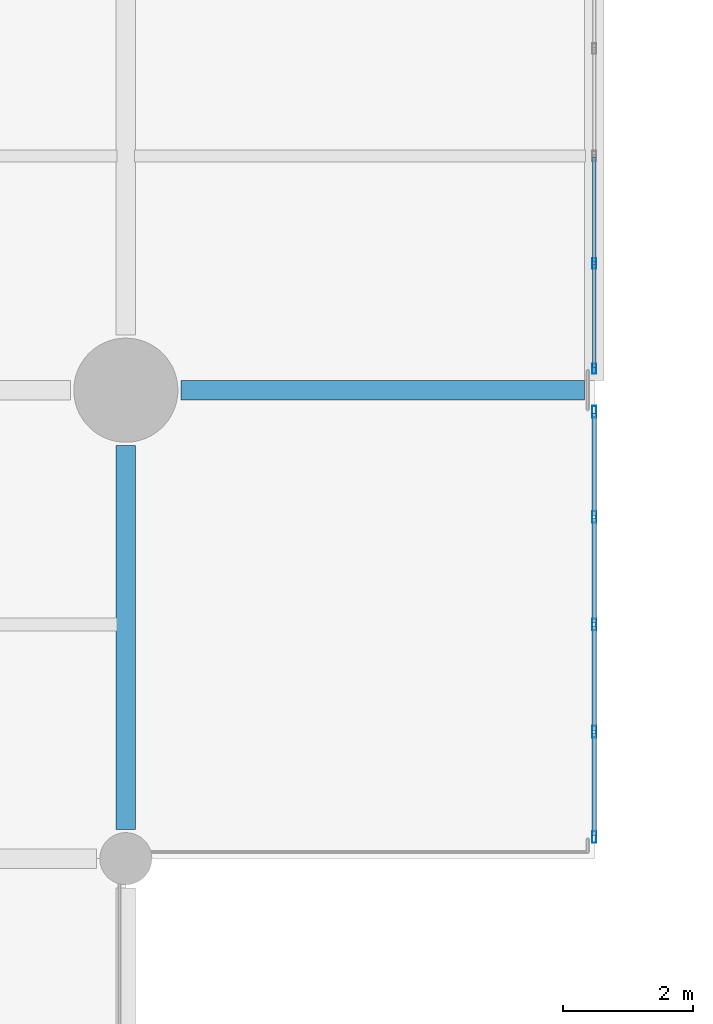
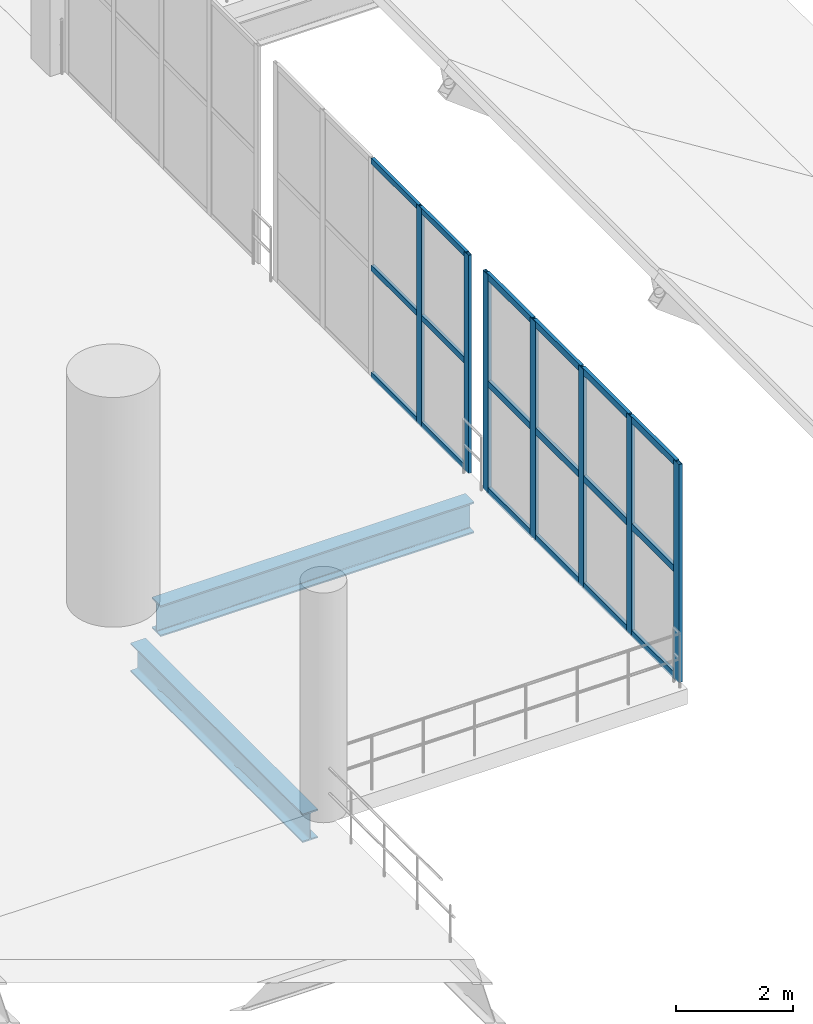
# One storey, part 28 of 105: 25 members, 2 beams, 2 elements without a shape of their own.
"""IFC4 building model written with IfcOpenShell, lengths in metres."""

import ifcopenshell
import ifcopenshell.guid

model = None  # the IFC model being written
_history = None  # IfcOwnerHistory: only IFC2X3 demands one
_inside = {}  # id of a spatial element -> (the spatial element, [elements in it])
_under = {}  # id of a project, library or spatial element -> (it, [spatial elements below it])
_declared = {}  # id of a project -> (the project, [libraries it declares])
_typed = {}  # id of a type object -> (the type object, [elements of that type])
_made_of = {}  # id of a material, layer set ... -> (it, [elements and type objects made of it])


def new_model(schema):
    """Start an empty IFC model of exactly this schema.

    Asked for "IFC4X3", IfcOpenShell would pick the latest addendum, in which some entities
    have other attributes; the version numbers below select the first issue.
    IFC2X3 requires an IfcOwnerHistory on every rooted entity: one is made here for all.
    """
    global model, _history
    if schema == "IFC4X3":
        model = ifcopenshell.file(schema_version=(4, 3, 0, 0))
    else:
        model = ifcopenshell.file(schema=schema)
    _inside.clear()
    _under.clear()
    _declared.clear()
    _typed.clear()
    _made_of.clear()
    _history = None
    if model.schema == "IFC2X3":
        org = make("IfcOrganization", Name="unknown")
        user = make(
            "IfcPersonAndOrganization",
            ThePerson=make("IfcPerson", FamilyName="unknown"),
            TheOrganization=org,
        )
        app = make(
            "IfcApplication",
            ApplicationDeveloper=org,
            Version="unknown",
            ApplicationFullName="unknown",
            ApplicationIdentifier="unknown",
        )
        _history = make(
            "IfcOwnerHistory",
            OwningUser=user,
            OwningApplication=app,
            ChangeAction="ADDED",
            CreationDate=0,
        )
    return model


def make(cls, **values):
    """One entity of the class cls with the attributes given. An attribute that is None is left unset."""
    return model.create_entity(
        cls, **{name: value for name, value in values.items() if value is not None}
    )


def rooted(cls, **values):
    """An entity with a GlobalId (a new one), such as an element, a storey or a relation."""
    return make(cls, GlobalId=ifcopenshell.guid.new(), OwnerHistory=_history, **values)


def si_unit(unit_type, name, prefix=None):
    """IfcSIUnit, for example si_unit("LENGTHUNIT", "METRE", prefix="MILLI")."""
    return make("IfcSIUnit", UnitType=unit_type, Prefix=prefix, Name=name)


def assignment(units):
    """IfcUnitAssignment: the units of a project."""
    return None if units is None else make("IfcUnitAssignment", Units=units)


def point(xyz):
    """IfcCartesianPoint."""
    return None if xyz is None else make("IfcCartesianPoint", Coordinates=xyz)


def direction(xyz):
    """IfcDirection."""
    return None if xyz is None else make("IfcDirection", DirectionRatios=xyz)


def frame(location, z_axis=None, x_axis=None):
    """IfcAxis2Placement3D, a coordinate frame: its origin and axes. An axis left out is left unset."""
    return make(
        "IfcAxis2Placement3D",
        Location=point(location),
        Axis=direction(z_axis),
        RefDirection=direction(x_axis),
    )


def frame_2d(location, x_axis=None):
    """IfcAxis2Placement2D, a coordinate frame in the plane: its origin and x axis."""
    return make(
        "IfcAxis2Placement2D", Location=point(location), RefDirection=direction(x_axis)
    )


def origin():
    """The frame at (0, 0, 0) with its axes left unset."""
    return frame((0.0, 0.0, 0.0))


def origin_2d():
    """The frame at (0, 0) in the plane with its x axis left unset."""
    return frame_2d((0.0, 0.0))


def place(relative_to, where):
    """IfcLocalPlacement: puts the frame where relative to a parent placement (None: the world)."""
    return make(
        "IfcLocalPlacement", PlacementRelTo=relative_to, RelativePlacement=where
    )


def context(
    kind, dimensions, precision=None, world=None, true_north=None, identifier=None
):
    """IfcGeometricRepresentationContext, for example the 3D "Model" context."""
    return make(
        "IfcGeometricRepresentationContext",
        ContextIdentifier=identifier,
        ContextType=kind,
        CoordinateSpaceDimension=dimensions,
        Precision=precision,
        WorldCoordinateSystem=world,
        TrueNorth=true_north,
    )


def subcontext(parent, identifier, kind, view, scale=None):
    """IfcGeometricRepresentationSubContext, for example "Body" below "Model"."""
    return make(
        "IfcGeometricRepresentationSubContext",
        ContextIdentifier=identifier,
        ContextType=kind,
        ParentContext=parent,
        TargetScale=scale,
        TargetView=view,
    )


def project(units=None, contexts=None):
    """IfcProject with its units and contexts."""
    return rooted(
        "IfcProject",
        Name="project",
        RepresentationContexts=contexts,
        UnitsInContext=assignment(units),
    )


def spatial(cls, under=None, at=None, **own):
    """A site, building, storey or space (cls), placed at a placement, below another one or the project."""
    s = rooted(cls, ObjectPlacement=at, **own)
    if under is not None:
        _under.setdefault(under.id(), (under, []))[1].append(s)
    return s


def profile(cls, at=None, kind="AREA", **sizes):
    """A parametric profile (cls). Its sizes go by their IFC names, for example OverallWidth=200.0."""
    return make(cls, ProfileType=kind, Position=at, **sizes)


def hollow_rectangle(**sizes):
    """IfcRectangleHollowProfileDef."""
    return profile("IfcRectangleHollowProfileDef", **sizes)


def i_section(**sizes):
    """IfcIShapeProfileDef."""
    return profile("IfcIShapeProfileDef", **sizes)


def extrude(swept, where, along, depth):
    """IfcExtrudedAreaSolid: the profile swept, set in the frame where, extruded along a direction by depth."""
    return make(
        "IfcExtrudedAreaSolid",
        SweptArea=swept,
        Position=where,
        ExtrudedDirection=direction(along),
        Depth=depth,
    )


def shape(context_of_items, identifier, shape_type, items):
    """IfcShapeRepresentation: the items that make up one representation, for example the "Body"."""
    return make(
        "IfcShapeRepresentation",
        ContextOfItems=context_of_items,
        RepresentationIdentifier=identifier,
        RepresentationType=shape_type,
        Items=items,
    )


def material(Name=None, Category=None):
    """IfcMaterial."""
    return make("IfcMaterial", Name=Name, Category=Category)


def material_profile(
    of_material, cross_section, Name=None, Category=None, Priority=None
):
    """IfcMaterialProfile: a cross section and its material."""
    return make(
        "IfcMaterialProfile",
        Name=Name,
        Material=of_material,
        Profile=cross_section,
        Priority=Priority,
        Category=Category,
    )


def profile_set(profiles, Name=None, composite=None):
    """IfcMaterialProfileSet."""
    return make(
        "IfcMaterialProfileSet",
        Name=Name,
        MaterialProfiles=profiles,
        CompositeProfile=composite,
    )


def made_of(thing, what):
    """Note that an element or type object is made of a material, layer set ...; save() writes the relation."""
    if what is not None:
        _made_of.setdefault(what.id(), (what, []))[1].append(thing)
    return thing


def type_object(cls, material=None, **own):
    """A type object (cls), such as IfcWallType, which elements share."""
    return made_of(rooted(cls, **own), material)


def element(
    cls,
    number,
    at=None,
    inside=None,
    cuts=None,
    type_object=None,
    material=None,
    context=None,
    identifier="Body",
    shape_type=None,
    held_by="IfcProductDefinitionShape",
    body=None,
    shapes=None,
    **own,
):
    """One element of the class cls, such as IfcWall. Its Tag is "e" and its number.

    at: its placement. inside: the storey or other place that contains it. cuts: it is an
    opening in that element (IfcRelVoidsElement). A single representation is given by context,
    identifier, shape_type and body (its items); several are given by shapes. held_by: the class
    of the entity that holds the representations. save() writes the other relations.
    """
    e = rooted(cls, Tag="e%d" % number, ObjectPlacement=at, **own)
    if body is not None:
        shapes = [shape(context, identifier, shape_type, body)]
    if shapes is not None:
        e.Representation = make(held_by, Representations=shapes)
    if inside is not None:
        _inside.setdefault(inside.id(), (inside, []))[1].append(e)
    if cuts is not None:
        rooted(
            "IfcRelVoidsElement", RelatingBuildingElement=cuts, RelatedOpeningElement=e
        )
    if type_object is not None:
        _typed.setdefault(type_object.id(), (type_object, []))[1].append(e)
    return made_of(e, material)


def aggregate(whole, parts):
    """IfcRelAggregates: a whole, such as a stair, and the parts it consists of."""
    return rooted("IfcRelAggregates", RelatingObject=whole, RelatedObjects=parts)


def save(model, path):
    """Write the relations noted so far, then the file.

    IfcRelAggregates (storeys below a building ...), IfcRelContainedInSpatialStructure (elements
    in a storey), IfcRelDefinesByType, IfcRelAssociatesMaterial and IfcRelDeclares: one each for
    every whole, place, type object, material and project.
    """
    for whole, parts in _under.values():
        aggregate(whole, parts)
    for where, things in _inside.values():
        rooted(
            "IfcRelContainedInSpatialStructure",
            RelatedElements=things,
            RelatingStructure=where,
        )
    for kind, things in _typed.values():
        rooted("IfcRelDefinesByType", RelatedObjects=things, RelatingType=kind)
    for what, things in _made_of.values():
        rooted("IfcRelAssociatesMaterial", RelatedObjects=things, RelatingMaterial=what)
    for by, libraries in _declared.values():
        rooted("IfcRelDeclares", RelatingContext=by, RelatedDefinitions=libraries)
    model.write(path)


model = new_model("IFC4")

# Units and contexts
model_context = context("Model", 3, precision=1e-05, world=origin(), true_north=direction((0.0, 1.0)))
body_context = subcontext(model_context, "Body", "Model", "MODEL_VIEW")
ifc_project = project(units=[si_unit("LENGTHUNIT", "METRE"), si_unit("AREAUNIT", "SQUARE_METRE"), si_unit("VOLUMEUNIT", "CUBIC_METRE"), si_unit("PLANEANGLEUNIT", "RADIAN"), si_unit("MASSUNIT", "GRAM", prefix="KILO")], contexts=[model_context])

# Site, building, storey
site_placement = place(None, origin())
site = spatial("IfcSite", under=ifc_project, at=site_placement, CompositionType="ELEMENT")
building_placement = place(site_placement, origin())
building = spatial("IfcBuilding", under=site, at=building_placement, Name="Qandorah Velis Arena", CompositionType="ELEMENT")
storey_placement = place(building_placement, frame((0.0, 0.0, 13.800048828125)))
storey = spatial("IfcBuildingStorey", under=building, at=storey_placement, Name="L03", CompositionType="ELEMENT", Elevation=13.800048828125)

# Curtain wall, members
ifc_material_1 = material(Name="Solar-control low-E double glazing", Category="glass")
curtain_wall_type_1 = type_object("IfcCurtainWallType", Name="ARC-CW-SYS03", PredefinedType="USERDEFINED", material=ifc_material_1)
curtain_wall_1_placement = place(storey_placement, origin())
curtain_wall_1 = element("IfcCurtainWall", 1, at=curtain_wall_1_placement, inside=storey, type_object=curtain_wall_type_1, Name="Unitised curtain wall L03-171", ObjectType="UNITISED CURTAIN WALL", PredefinedType="USERDEFINED")
ifc_material_2 = material(Name="Champagne-bronze anodized aluminium 6063-T6", Category="aluminium")
ifc_material_profile_1 = material_profile(ifc_material_2, hollow_rectangle(XDim=0.06005859375, YDim=0.159912109375, WallThickness=0.00341796875, at=origin_2d()), Name="ALU MULLION 60x160")
ifc_profile_set_1 = profile_set([ifc_material_profile_1], Name="Champagne-bronze anodized aluminium 6063-T6")
member_type_1 = type_object("IfcMemberType", Name="ARC-CWM-160", PredefinedType="MULLION", material=ifc_profile_set_1)
member_1_placement = place(storey_placement, frame((122.39990234375, 29.1298828125, -0.01513671875), z_axis=(0.0, 0.0, 1.0), x_axis=(-1.0, 0.0, 0.0)))
member_1 = element("IfcMember", 2, at=member_1_placement, type_object=member_type_1, Name="CW03 mullion 1", PredefinedType="MULLION", context=body_context, shape_type="SweptSolid", body=[
    extrude(hollow_rectangle(XDim=0.06005859375, YDim=0.159912109375, WallThickness=0.00341796875, at=origin_2d()), origin(), (0.0, 0.0, 1.0), 4.56005859375),
])
member_2_placement = place(storey_placement, frame((122.39990234375, 30.75, -0.01513671875), z_axis=(0.0, 0.0, 1.0), x_axis=(-1.0, 0.0, 0.0)))
member_2 = element("IfcMember", 3, at=member_2_placement, type_object=member_type_1, Name="CW03 mullion 2", PredefinedType="MULLION", context=body_context, shape_type="SweptSolid", body=[
    extrude(hollow_rectangle(XDim=0.06005859375, YDim=0.159912109375, WallThickness=0.00341796875, at=origin_2d()), origin(), (0.0, 0.0, 1.0), 4.56005859375),
])

curtain_wall_type_2 = type_object("IfcCurtainWallType", Name="ARC-CW-SYS02", PredefinedType="USERDEFINED", material=ifc_material_1)
curtain_wall_2_placement = place(storey_placement, origin())
curtain_wall_2 = element("IfcCurtainWall", 4, at=curtain_wall_2_placement, inside=storey, type_object=curtain_wall_type_2, Name="Unitised curtain wall L03-170", ObjectType="UNITISED CURTAIN WALL", PredefinedType="USERDEFINED")
ifc_material_profile_2 = material_profile(ifc_material_2, hollow_rectangle(XDim=0.06494140625, YDim=0.179931640625, WallThickness=0.00341796875, at=origin_2d()), Name="ALU MULLION 65x180")
ifc_profile_set_2 = profile_set([ifc_material_profile_2], Name="Champagne-bronze anodized aluminium 6063-T6")
member_type_2 = type_object("IfcMemberType", Name="ARC-CWM-180", PredefinedType="MULLION", material=ifc_profile_set_2)
member_3_placement = place(storey_placement, frame((122.39990234375, 21.9326171875, -0.01513671875), z_axis=(0.0, 0.0, 1.0), x_axis=(-1.0, 0.0, 0.0)))
member_3 = element("IfcMember", 5, at=member_3_placement, type_object=member_type_2, Name="CW02 mullion 1", PredefinedType="MULLION", context=body_context, shape_type="SweptSolid", body=[
    extrude(hollow_rectangle(XDim=0.06494140625, YDim=0.179931640625, WallThickness=0.00341796875, at=origin_2d()), origin(), (0.0, 0.0, 1.0), 4.56005859375),
])
member_4_placement = place(storey_placement, frame((122.39990234375, 23.550048828125, -0.01513671875), z_axis=(0.0, 0.0, 1.0), x_axis=(-1.0, 0.0, 0.0)))
member_4 = element("IfcMember", 6, at=member_4_placement, type_object=member_type_2, Name="CW02 mullion 2", PredefinedType="MULLION", context=body_context, shape_type="SweptSolid", body=[
    extrude(hollow_rectangle(XDim=0.06494140625, YDim=0.179931640625, WallThickness=0.00341796875, at=origin_2d()), origin(), (0.0, 0.0, 1.0), 4.56005859375),
])
member_5_placement = place(storey_placement, frame((122.39990234375, 25.199951171875, -0.01513671875), z_axis=(0.0, 0.0, 1.0), x_axis=(-1.0, 0.0, 0.0)))
member_5 = element("IfcMember", 7, at=member_5_placement, type_object=member_type_2, Name="CW02 mullion 3", PredefinedType="MULLION", context=body_context, shape_type="SweptSolid", body=[
    extrude(hollow_rectangle(XDim=0.06494140625, YDim=0.179931640625, WallThickness=0.00341796875, at=origin_2d()), origin(), (0.0, 0.0, 1.0), 4.56005859375),
])
member_6_placement = place(storey_placement, frame((122.39990234375, 26.85009765625, -0.01513671875), z_axis=(0.0, 0.0, 1.0), x_axis=(-1.0, 0.0, 0.0)))
member_6 = element("IfcMember", 8, at=member_6_placement, type_object=member_type_2, Name="CW02 mullion 4", PredefinedType="MULLION", context=body_context, shape_type="SweptSolid", body=[
    extrude(hollow_rectangle(XDim=0.06494140625, YDim=0.179931640625, WallThickness=0.00341796875, at=origin_2d()), origin(), (0.0, 0.0, 1.0), 4.56005859375),
])
member_7_placement = place(storey_placement, frame((122.39990234375, 28.467529296875, -0.01513671875), z_axis=(0.0, 0.0, 1.0), x_axis=(-1.0, 0.0, 0.0)))
member_7 = element("IfcMember", 9, at=member_7_placement, type_object=member_type_2, Name="CW02 mullion 5", PredefinedType="MULLION", context=body_context, shape_type="SweptSolid", body=[
    extrude(hollow_rectangle(XDim=0.06494140625, YDim=0.179931640625, WallThickness=0.00341796875, at=origin_2d()), origin(), (0.0, 0.0, 1.0), 4.56005859375),
])

# Member
ifc_material_profile_3 = material_profile(ifc_material_2, hollow_rectangle(XDim=0.06005859375, YDim=0.1201171875, WallThickness=0.0029296875, at=origin_2d()), Name="ALU TRANSOM 60x120")
ifc_profile_set_3 = profile_set([ifc_material_profile_3], Name="Champagne-bronze anodized aluminium 6063-T6")
member_type_3 = type_object("IfcMemberType", Name="ARC-CWT-120", PredefinedType="USERDEFINED", material=ifc_profile_set_3)
member_8_placement = place(storey_placement, frame((122.39990234375, 29.14794921875, 0.030029296875), z_axis=(0.0, 1.0, 0.0), x_axis=(-1.0, 0.0, 0.0)))
member_8 = element("IfcMember", 10, at=member_8_placement, type_object=member_type_3, Name="CW03 transom 1.1", ObjectType="TRANSOM", PredefinedType="USERDEFINED", context=body_context, shape_type="SweptSolid", body=[
    extrude(hollow_rectangle(XDim=0.06005859375, YDim=0.1201171875, WallThickness=0.0029296875, at=origin_2d()), origin(), (0.0, 0.0, 1.0), 1.583984375),
])

member_9_placement = place(storey_placement, frame((122.39990234375, 29.14794921875, 2.264892578125), z_axis=(0.0, 1.0, 0.0), x_axis=(-1.0, 0.0, 0.0)))
member_9 = element("IfcMember", 11, at=member_9_placement, type_object=member_type_3, Name="CW03 transom 1.2", ObjectType="TRANSOM", PredefinedType="USERDEFINED", context=body_context, shape_type="SweptSolid", body=[
    extrude(hollow_rectangle(XDim=0.06005859375, YDim=0.1201171875, WallThickness=0.0029296875, at=origin_2d()), origin(), (0.0, 0.0, 1.0), 1.583984375),
])

member_10_placement = place(storey_placement, frame((122.39990234375, 29.14794921875, 4.5), z_axis=(0.0, 1.0, 0.0), x_axis=(-1.0, 0.0, 0.0)))
member_10 = element("IfcMember", 12, at=member_10_placement, type_object=member_type_3, Name="CW03 transom 1.3", ObjectType="TRANSOM", PredefinedType="USERDEFINED", context=body_context, shape_type="SweptSolid", body=[
    extrude(hollow_rectangle(XDim=0.06005859375, YDim=0.1201171875, WallThickness=0.0029296875, at=origin_2d()), origin(), (0.0, 0.0, 1.0), 1.583984375),
])

member_11_placement = place(storey_placement, frame((122.39990234375, 30.76806640625, 0.030029296875), z_axis=(0.0, 1.0, 0.0), x_axis=(-1.0, 0.0, 0.0)))
member_11 = element("IfcMember", 13, at=member_11_placement, type_object=member_type_3, Name="CW03 transom 2.1", ObjectType="TRANSOM", PredefinedType="USERDEFINED", context=body_context, shape_type="SweptSolid", body=[
    extrude(hollow_rectangle(XDim=0.06005859375, YDim=0.1201171875, WallThickness=0.0029296875, at=origin_2d()), origin(), (0.0, 0.0, 1.0), 1.614013671875),
])

member_12_placement = place(storey_placement, frame((122.39990234375, 30.76806640625, 2.264892578125), z_axis=(0.0, 1.0, 0.0), x_axis=(-1.0, 0.0, 0.0)))
member_12 = element("IfcMember", 14, at=member_12_placement, type_object=member_type_3, Name="CW03 transom 2.2", ObjectType="TRANSOM", PredefinedType="USERDEFINED", context=body_context, shape_type="SweptSolid", body=[
    extrude(hollow_rectangle(XDim=0.06005859375, YDim=0.1201171875, WallThickness=0.0029296875, at=origin_2d()), origin(), (0.0, 0.0, 1.0), 1.614013671875),
])

member_13_placement = place(storey_placement, frame((122.39990234375, 30.76806640625, 4.5), z_axis=(0.0, 1.0, 0.0), x_axis=(-1.0, 0.0, 0.0)))
member_13 = element("IfcMember", 15, at=member_13_placement, type_object=member_type_3, Name="CW03 transom 2.3", ObjectType="TRANSOM", PredefinedType="USERDEFINED", context=body_context, shape_type="SweptSolid", body=[
    extrude(hollow_rectangle(XDim=0.06005859375, YDim=0.1201171875, WallThickness=0.0029296875, at=origin_2d()), origin(), (0.0, 0.0, 1.0), 1.614013671875),
])

aggregate(curtain_wall_1, [member_1, member_2, member_8, member_9, member_10, member_11, member_12, member_13])

ifc_material_profile_4 = material_profile(ifc_material_2, hollow_rectangle(XDim=0.06494140625, YDim=0.139892578125, WallThickness=0.0029296875, at=origin_2d()), Name="ALU TRANSOM 65x140")
ifc_profile_set_4 = profile_set([ifc_material_profile_4], Name="Champagne-bronze anodized aluminium 6063-T6")
member_type_4 = type_object("IfcMemberType", Name="ARC-CWT-140", PredefinedType="USERDEFINED", material=ifc_profile_set_4)
member_14_placement = place(storey_placement, frame((122.39990234375, 21.952880859375, 0.032470703125), z_axis=(0.0, 1.0, 0.0), x_axis=(-1.0, 0.0, 0.0)))
member_14 = element("IfcMember", 16, at=member_14_placement, type_object=member_type_4, Name="CW02 transom 1.1", ObjectType="TRANSOM", PredefinedType="USERDEFINED", context=body_context, shape_type="SweptSolid", body=[
    extrude(hollow_rectangle(XDim=0.06494140625, YDim=0.139892578125, WallThickness=0.0029296875, at=origin_2d()), origin(), (0.0, 0.0, 1.0), 1.57666015625),
])

member_15_placement = place(storey_placement, frame((122.39990234375, 21.952880859375, 2.264892578125), z_axis=(0.0, 1.0, 0.0), x_axis=(-1.0, 0.0, 0.0)))
member_15 = element("IfcMember", 17, at=member_15_placement, type_object=member_type_4, Name="CW02 transom 1.2", ObjectType="TRANSOM", PredefinedType="USERDEFINED", context=body_context, shape_type="SweptSolid", body=[
    extrude(hollow_rectangle(XDim=0.06494140625, YDim=0.139892578125, WallThickness=0.0029296875, at=origin_2d()), origin(), (0.0, 0.0, 1.0), 1.57666015625),
])

member_16_placement = place(storey_placement, frame((122.39990234375, 21.952880859375, 4.49755859375), z_axis=(0.0, 1.0, 0.0), x_axis=(-1.0, 0.0, 0.0)))
member_16 = element("IfcMember", 18, at=member_16_placement, type_object=member_type_4, Name="CW02 transom 1.3", ObjectType="TRANSOM", PredefinedType="USERDEFINED", context=body_context, shape_type="SweptSolid", body=[
    extrude(hollow_rectangle(XDim=0.06494140625, YDim=0.139892578125, WallThickness=0.0029296875, at=origin_2d()), origin(), (0.0, 0.0, 1.0), 1.57666015625),
])

member_17_placement = place(storey_placement, frame((122.39990234375, 23.570556640625, 0.032470703125), z_axis=(0.0, 1.0, 0.0), x_axis=(-1.0, 0.0, 0.0)))
member_17 = element("IfcMember", 19, at=member_17_placement, type_object=member_type_4, Name="CW02 transom 2.1", ObjectType="TRANSOM", PredefinedType="USERDEFINED", context=body_context, shape_type="SweptSolid", body=[
    extrude(hollow_rectangle(XDim=0.06494140625, YDim=0.139892578125, WallThickness=0.0029296875, at=origin_2d()), origin(), (0.0, 0.0, 1.0), 1.60888671875),
])

member_18_placement = place(storey_placement, frame((122.39990234375, 23.570556640625, 2.264892578125), z_axis=(0.0, 1.0, 0.0), x_axis=(-1.0, 0.0, 0.0)))
member_18 = element("IfcMember", 20, at=member_18_placement, type_object=member_type_4, Name="CW02 transom 2.2", ObjectType="TRANSOM", PredefinedType="USERDEFINED", context=body_context, shape_type="SweptSolid", body=[
    extrude(hollow_rectangle(XDim=0.06494140625, YDim=0.139892578125, WallThickness=0.0029296875, at=origin_2d()), origin(), (0.0, 0.0, 1.0), 1.60888671875),
])

member_19_placement = place(storey_placement, frame((122.39990234375, 23.570556640625, 4.49755859375), z_axis=(0.0, 1.0, 0.0), x_axis=(-1.0, 0.0, 0.0)))
member_19 = element("IfcMember", 21, at=member_19_placement, type_object=member_type_4, Name="CW02 transom 2.3", ObjectType="TRANSOM", PredefinedType="USERDEFINED", context=body_context, shape_type="SweptSolid", body=[
    extrude(hollow_rectangle(XDim=0.06494140625, YDim=0.139892578125, WallThickness=0.0029296875, at=origin_2d()), origin(), (0.0, 0.0, 1.0), 1.60888671875),
])

member_20_placement = place(storey_placement, frame((122.39990234375, 25.220458984375, 0.032470703125), z_axis=(0.0, 1.0, 0.0), x_axis=(-1.0, 0.0, 0.0)))
member_20 = element("IfcMember", 22, at=member_20_placement, type_object=member_type_4, Name="CW02 transom 3.1", ObjectType="TRANSOM", PredefinedType="USERDEFINED", context=body_context, shape_type="SweptSolid", body=[
    extrude(hollow_rectangle(XDim=0.06494140625, YDim=0.139892578125, WallThickness=0.0029296875, at=origin_2d()), origin(), (0.0, 0.0, 1.0), 1.609130859375),
])

member_21_placement = place(storey_placement, frame((122.39990234375, 25.220458984375, 2.264892578125), z_axis=(0.0, 1.0, 0.0), x_axis=(-1.0, 0.0, 0.0)))
member_21 = element("IfcMember", 23, at=member_21_placement, type_object=member_type_4, Name="CW02 transom 3.2", ObjectType="TRANSOM", PredefinedType="USERDEFINED", context=body_context, shape_type="SweptSolid", body=[
    extrude(hollow_rectangle(XDim=0.06494140625, YDim=0.139892578125, WallThickness=0.0029296875, at=origin_2d()), origin(), (0.0, 0.0, 1.0), 1.609130859375),
])

member_22_placement = place(storey_placement, frame((122.39990234375, 25.220458984375, 4.49755859375), z_axis=(0.0, 1.0, 0.0), x_axis=(-1.0, 0.0, 0.0)))
member_22 = element("IfcMember", 24, at=member_22_placement, type_object=member_type_4, Name="CW02 transom 3.3", ObjectType="TRANSOM", PredefinedType="USERDEFINED", context=body_context, shape_type="SweptSolid", body=[
    extrude(hollow_rectangle(XDim=0.06494140625, YDim=0.139892578125, WallThickness=0.0029296875, at=origin_2d()), origin(), (0.0, 0.0, 1.0), 1.609130859375),
])

member_23_placement = place(storey_placement, frame((122.39990234375, 26.87060546875, 0.032470703125), z_axis=(0.0, 1.0, 0.0), x_axis=(-1.0, 0.0, 0.0)))
member_23 = element("IfcMember", 25, at=member_23_placement, type_object=member_type_4, Name="CW02 transom 4.1", ObjectType="TRANSOM", PredefinedType="USERDEFINED", context=body_context, shape_type="SweptSolid", body=[
    extrude(hollow_rectangle(XDim=0.06494140625, YDim=0.139892578125, WallThickness=0.0029296875, at=origin_2d()), origin(), (0.0, 0.0, 1.0), 1.576416015625),
])

member_24_placement = place(storey_placement, frame((122.39990234375, 26.87060546875, 2.264892578125), z_axis=(0.0, 1.0, 0.0), x_axis=(-1.0, 0.0, 0.0)))
member_24 = element("IfcMember", 26, at=member_24_placement, type_object=member_type_4, Name="CW02 transom 4.2", ObjectType="TRANSOM", PredefinedType="USERDEFINED", context=body_context, shape_type="SweptSolid", body=[
    extrude(hollow_rectangle(XDim=0.06494140625, YDim=0.139892578125, WallThickness=0.0029296875, at=origin_2d()), origin(), (0.0, 0.0, 1.0), 1.576416015625),
])

member_25_placement = place(storey_placement, frame((122.39990234375, 26.87060546875, 4.49755859375), z_axis=(0.0, 1.0, 0.0), x_axis=(-1.0, 0.0, 0.0)))
member_25 = element("IfcMember", 27, at=member_25_placement, type_object=member_type_4, Name="CW02 transom 4.3", ObjectType="TRANSOM", PredefinedType="USERDEFINED", context=body_context, shape_type="SweptSolid", body=[
    extrude(hollow_rectangle(XDim=0.06494140625, YDim=0.139892578125, WallThickness=0.0029296875, at=origin_2d()), origin(), (0.0, 0.0, 1.0), 1.576416015625),
])

aggregate(curtain_wall_2, [member_3, member_4, member_5, member_6, member_7, member_14, member_15, member_16, member_17, member_18, member_19, member_20, member_21, member_22, member_23, member_24, member_25])

# Beams
ifc_material_3 = material(Name="Steel S355", Category="steel")
ifc_material_profile_5 = material_profile(ifc_material_3, i_section(OverallWidth=0.300048828125, OverallDepth=0.60009765625, WebThickness=0.015380859375, FlangeThickness=0.030029296875, FilletRadius=0.027099609375, at=origin_2d()), Name="HEB 600")
ifc_profile_set_5 = profile_set([ifc_material_profile_5], Name="Steel S355")
beam_type_1 = type_object("IfcBeamType", Name="STR-BM-HEB600", PredefinedType="BEAM", material=ifc_profile_set_5)
beam_1_placement = place(storey_placement, frame((115.199951171875, 22.050048828125, -0.6201171875), z_axis=(0.0, 1.0, 0.0), x_axis=(-1.0, 0.0, 0.0)))
element("IfcBeam", 28, at=beam_1_placement, inside=storey, type_object=beam_type_1, Name="Primary floor girder L03 Y-302", PredefinedType="BEAM", context=body_context, shape_type="SweptSolid", body=[
    extrude(i_section(OverallWidth=0.300048828125, OverallDepth=0.60009765625, WebThickness=0.015380859375, FlangeThickness=0.030029296875, FilletRadius=0.027099609375, at=origin_2d()), origin(), (0.0, 0.0, 1.0), 5.89990234375),
])
ifc_material_profile_6 = material_profile(ifc_material_3, i_section(OverallWidth=0.300048828125, OverallDepth=0.64990234375, WebThickness=0.01611328125, FlangeThickness=0.031005859375, FilletRadius=0.027099609375, at=origin_2d()), Name="HEB 650")
ifc_profile_set_6 = profile_set([ifc_material_profile_6], Name="Steel S355")
beam_type_2 = type_object("IfcBeamType", Name="STR-BM-HEB650", PredefinedType="BEAM", material=ifc_profile_set_6)
beam_2_placement = place(storey_placement, frame((116.050048828125, 28.800048828125, -0.64501953125), z_axis=(1.0, 0.0, 0.0), x_axis=(0.0, 1.0, 0.0)))
element("IfcBeam", 29, at=beam_2_placement, inside=storey, type_object=beam_type_2, Name="Primary floor girder L03 X-061", PredefinedType="BEAM", context=body_context, shape_type="SweptSolid", body=[
    extrude(i_section(OverallWidth=0.300048828125, OverallDepth=0.64990234375, WebThickness=0.01611328125, FlangeThickness=0.031005859375, FilletRadius=0.027099609375, at=origin_2d()), origin(), (0.0, 0.0, 1.0), 6.199951171875),
])

save(model, "model.ifc")
